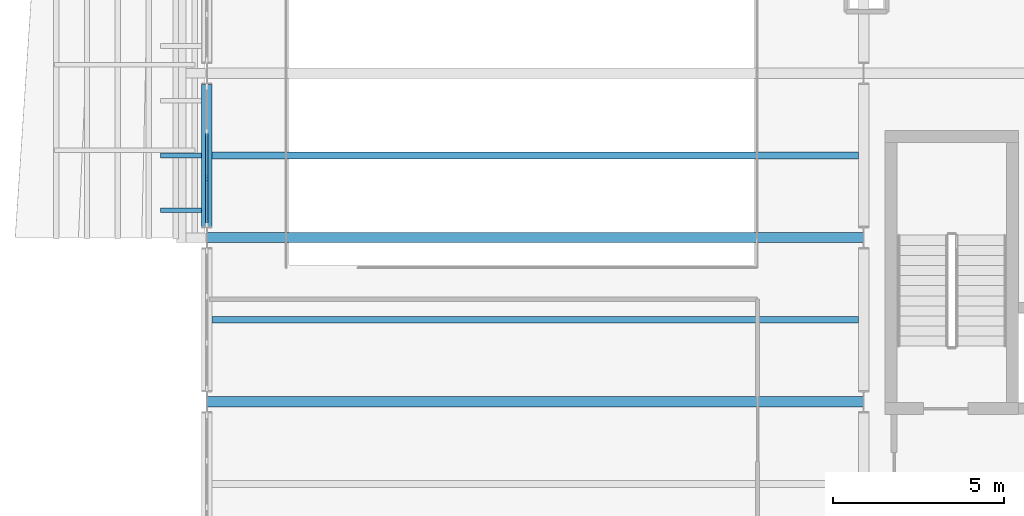
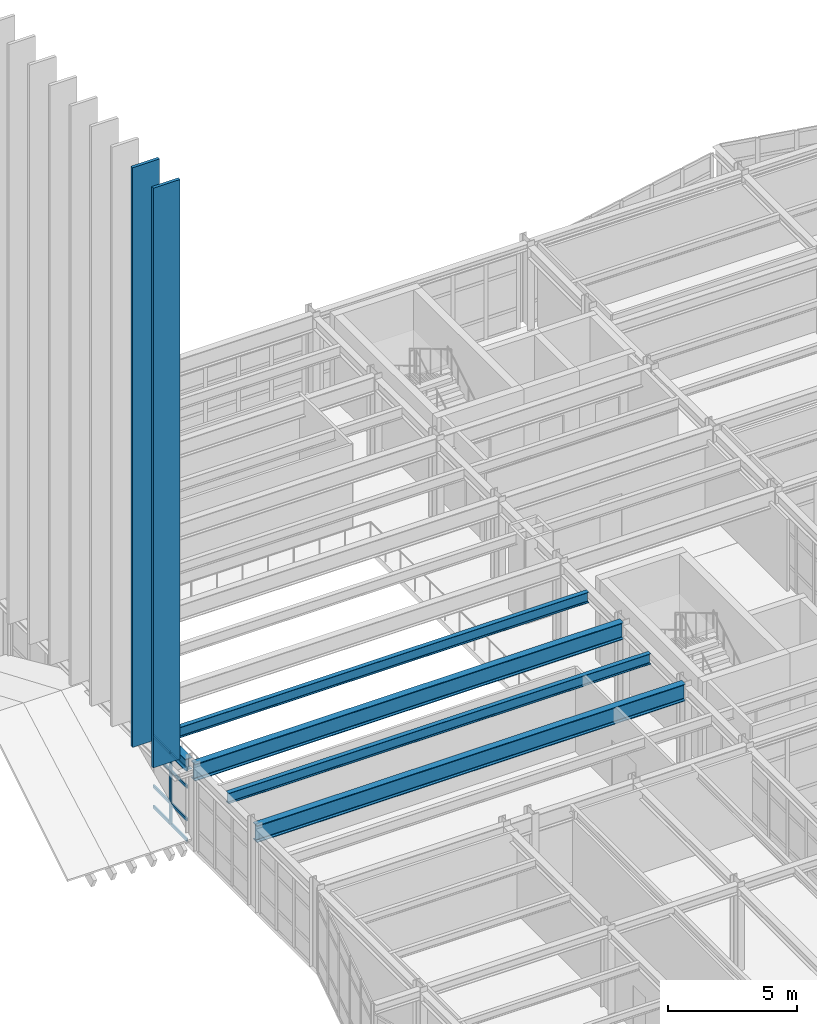
# One storey, part 38 of 99: 11 members, 5 beams, 1 element without a shape of its own.
"""IFC4 building model written with IfcOpenShell, lengths in metres."""

from ifc_helpers import new_model, si_unit, direction, frame, origin, origin_2d, place, context, subcontext, project, spatial, rectangle, i_section, extrude, material, layer, layer_set, material_profile, profile_set, type_object, element, aggregate, save


model = new_model("IFC4")

# Units and contexts
model_context = context("Model", 3, precision=1e-05, world=origin(), true_north=direction((0.0, 1.0)))
body_context = subcontext(model_context, "Body", "Model", "MODEL_VIEW")
ifc_project = project(units=[si_unit("LENGTHUNIT", "METRE"), si_unit("AREAUNIT", "SQUARE_METRE"), si_unit("VOLUMEUNIT", "CUBIC_METRE"), si_unit("PLANEANGLEUNIT", "RADIAN"), si_unit("MASSUNIT", "GRAM", prefix="KILO")], contexts=[model_context])

# Site, building, storey
site_placement = place(None, origin())
site = spatial("IfcSite", under=ifc_project, at=site_placement, CompositionType="ELEMENT")
building_placement = place(site_placement, origin())
building = spatial("IfcBuilding", under=site, at=building_placement, Name="Nordkorset Police Headquarters", CompositionType="ELEMENT")
storey_placement = place(building_placement, frame((0.0, 0.0, 5.25)))
storey = spatial("IfcBuildingStorey", under=building, at=storey_placement, Name="L01", CompositionType="ELEMENT", Elevation=5.25)

# Beams
ifc_material_1 = material(Name="Steel S355J2", Category="steel")
ifc_material_profile_1 = material_profile(ifc_material_1, i_section(OverallWidth=0.199951171875, OverallDepth=0.5, WebThickness=0.01025390625, FlangeThickness=0.01611328125, FilletRadius=0.02099609375, at=origin_2d()), Name="IPE 500")
ifc_profile_set_1 = profile_set([ifc_material_profile_1], Name="Steel S355J2")
beam_type_1 = type_object("IfcBeamType", Name="Beam_IPE_500", PredefinedType="BEAM", material=ifc_profile_set_1)
for number, where, z_axis, x_axis, name in (
    (1, (0.14990234375, 90.39990234375, 3.7099609375), (1.0, 0.0, 0.0), (0.0, 1.0, 0.0), "Composite Floor Beam V1 L01 0-1-1"),
    (2, (0.14990234375, 95.199951171875, 3.7099609375), (1.0, 0.0, 0.0), (0.0, 1.0, 0.0), "Composite Floor Beam V1 L01 0-2-1"),
):
    element("IfcBeam", number, at=place(storey_placement, frame(where, z_axis=z_axis, x_axis=x_axis)), inside=storey, type_object=beam_type_1, Name=name, PredefinedType="BEAM", context=body_context, shape_type="SweptSolid", body=[
        extrude(i_section(OverallWidth=0.199951171875, OverallDepth=0.5, WebThickness=0.01025390625, FlangeThickness=0.01611328125, FilletRadius=0.02099609375, at=origin_2d()), origin(), (0.0, 0.0, 1.0), 18.900146484375),
    ])

# Curtain wall, members
ifc_material_2 = material(Name="Aluminium alloy AW-6060", Category="aluminium")
ifc_layer = layer(ifc_material_2, 0.179931640625, Name="Aluminium alloy AW-6060")
ifc_layer_set = layer_set([ifc_layer], Name="Aluminium alloy AW-6060")
curtain_wall_type = type_object("IfcCurtainWallType", Name="CW_Unit_408x340", PredefinedType="USERDEFINED", material=ifc_layer_set)
curtain_wall_placement = place(storey_placement, origin())
curtain_wall = element("IfcCurtainWall", 3, at=curtain_wall_placement, inside=storey, type_object=curtain_wall_type, Name="Unitised Curtain Wall L01 V1W-2", ObjectType="UNITISED CURTAIN WALL", PredefinedType="USERDEFINED")
ifc_material_3 = material(Name="Aluminium alloy AW-6060", Category="aluminium")
ifc_material_profile_2 = material_profile(ifc_material_3, rectangle(XDim=0.06494140625, YDim=0.179931640625, at=origin_2d()), Name="ALU MULL 65x180")
ifc_profile_set_2 = profile_set([ifc_material_profile_2], Name="Aluminium alloy AW-6060")
member_type_1 = type_object("IfcMemberType", Name="CW_Mullion_65x180", PredefinedType="MULLION", material=ifc_profile_set_2)
member_1_placement = place(storey_placement, frame((0.0, 94.52001953125, 0.0), z_axis=(0.0, 0.0, 1.0), x_axis=(-1.0, 0.0, 0.0)))
member_1 = element("IfcMember", 4, at=member_1_placement, type_object=member_type_1, Name="CW-75 mullion 2", PredefinedType="MULLION", context=body_context, shape_type="SweptSolid", body=[
    extrude(rectangle(XDim=0.06494140625, YDim=0.179931640625, at=origin_2d()), origin(), (0.0, 0.0, 1.0), 3.39990234375),
])
ifc_material_4 = material(Name="Aluminium alloy AW-6060", Category="aluminium")
ifc_material_profile_3 = material_profile(ifc_material_4, rectangle(XDim=0.06494140625, YDim=0.139892578125, at=origin_2d()), Name="ALU TRAN 65x140")
ifc_profile_set_3 = profile_set([ifc_material_profile_3], Name="Aluminium alloy AW-6060")
member_type_2 = type_object("IfcMemberType", Name="CW_Transom_65x140", PredefinedType="USERDEFINED", material=ifc_profile_set_3)
member_2_placement = place(storey_placement, frame((0.0, 93.22509765625, 0.032470703125), z_axis=(0.0, 1.0, 0.0), x_axis=(-1.0, 0.0, 0.0)))
member_2 = element("IfcMember", 5, at=member_2_placement, type_object=member_type_2, Name="CW-75 transom 1.1", ObjectType="TRANSOM", PredefinedType="USERDEFINED", context=body_context, shape_type="SweptSolid", body=[
    extrude(rectangle(XDim=0.06494140625, YDim=0.139892578125, at=origin_2d()), origin(), (0.0, 0.0, 1.0), 1.262451171875),
])
member_3_placement = place(storey_placement, frame((0.0, 93.22509765625, 1.0), z_axis=(0.0, 1.0, 0.0), x_axis=(-1.0, 0.0, 0.0)))
member_3 = element("IfcMember", 6, at=member_3_placement, type_object=member_type_2, Name="CW-75 transom 1.2", ObjectType="TRANSOM", PredefinedType="USERDEFINED", context=body_context, shape_type="SweptSolid", body=[
    extrude(rectangle(XDim=0.06494140625, YDim=0.139892578125, at=origin_2d()), origin(), (0.0, 0.0, 1.0), 1.262451171875),
])
member_4_placement = place(storey_placement, frame((0.0, 93.22509765625, 2.550048828125), z_axis=(0.0, 1.0, 0.0), x_axis=(-1.0, 0.0, 0.0)))
member_4 = element("IfcMember", 7, at=member_4_placement, type_object=member_type_2, Name="CW-75 transom 1.3", ObjectType="TRANSOM", PredefinedType="USERDEFINED", context=body_context, shape_type="SweptSolid", body=[
    extrude(rectangle(XDim=0.06494140625, YDim=0.139892578125, at=origin_2d()), origin(), (0.0, 0.0, 1.0), 1.262451171875),
])
member_5_placement = place(storey_placement, frame((0.0, 93.22509765625, 3.367431640625), z_axis=(0.0, 1.0, 0.0), x_axis=(-1.0, 0.0, 0.0)))
member_5 = element("IfcMember", 8, at=member_5_placement, type_object=member_type_2, Name="CW-75 transom 1.4", ObjectType="TRANSOM", PredefinedType="USERDEFINED", context=body_context, shape_type="SweptSolid", body=[
    extrude(rectangle(XDim=0.06494140625, YDim=0.139892578125, at=origin_2d()), origin(), (0.0, 0.0, 1.0), 1.262451171875),
])
member_6_placement = place(storey_placement, frame((0.0, 94.552490234375, 0.032470703125), z_axis=(0.0, 1.0, 0.0), x_axis=(-1.0, 0.0, 0.0)))
member_6 = element("IfcMember", 9, at=member_6_placement, type_object=member_type_2, Name="CW-75 transom 2.1", ObjectType="TRANSOM", PredefinedType="USERDEFINED", context=body_context, shape_type="SweptSolid", body=[
    extrude(rectangle(XDim=0.06494140625, YDim=0.139892578125, at=origin_2d()), origin(), (0.0, 0.0, 1.0), 1.294921875),
])
member_7_placement = place(storey_placement, frame((0.0, 94.552490234375, 1.0), z_axis=(0.0, 1.0, 0.0), x_axis=(-1.0, 0.0, 0.0)))
member_7 = element("IfcMember", 10, at=member_7_placement, type_object=member_type_2, Name="CW-75 transom 2.2", ObjectType="TRANSOM", PredefinedType="USERDEFINED", context=body_context, shape_type="SweptSolid", body=[
    extrude(rectangle(XDim=0.06494140625, YDim=0.139892578125, at=origin_2d()), origin(), (0.0, 0.0, 1.0), 1.294921875),
])
member_8_placement = place(storey_placement, frame((0.0, 94.552490234375, 2.550048828125), z_axis=(0.0, 1.0, 0.0), x_axis=(-1.0, 0.0, 0.0)))
member_8 = element("IfcMember", 11, at=member_8_placement, type_object=member_type_2, Name="CW-75 transom 2.3", ObjectType="TRANSOM", PredefinedType="USERDEFINED", context=body_context, shape_type="SweptSolid", body=[
    extrude(rectangle(XDim=0.06494140625, YDim=0.139892578125, at=origin_2d()), origin(), (0.0, 0.0, 1.0), 1.294921875),
])
member_9_placement = place(storey_placement, frame((0.0, 94.552490234375, 3.367431640625), z_axis=(0.0, 1.0, 0.0), x_axis=(-1.0, 0.0, 0.0)))
member_9 = element("IfcMember", 12, at=member_9_placement, type_object=member_type_2, Name="CW-75 transom 2.4", ObjectType="TRANSOM", PredefinedType="USERDEFINED", context=body_context, shape_type="SweptSolid", body=[
    extrude(rectangle(XDim=0.06494140625, YDim=0.139892578125, at=origin_2d()), origin(), (0.0, 0.0, 1.0), 1.294921875),
])
aggregate(curtain_wall, [member_1, member_2, member_3, member_4, member_5, member_6, member_7, member_8, member_9])

# Beams
ifc_material_5 = material(Name="Steel S355J2", Category="steel")
ifc_material_profile_4 = material_profile(ifc_material_5, i_section(OverallWidth=0.300048828125, OverallDepth=0.5400390625, WebThickness=0.012451171875, FlangeThickness=0.02392578125, FilletRadius=0.027099609375, at=origin_2d()), Name="HEA 550")
ifc_profile_set_4 = profile_set([ifc_material_profile_4], Name="Steel S355J2")
beam_type_2 = type_object("IfcBeamType", Name="Girder_HEA_550", PredefinedType="USERDEFINED", material=ifc_profile_set_4)
beam_placement = place(storey_placement, frame((0.0, 93.125, 3.68994140625), z_axis=(0.0, 1.0, 0.0), x_axis=(-1.0, 0.0, 0.0)))
element("IfcBeam", 13, at=beam_placement, inside=storey, type_object=beam_type_2, Name="Girder V1 L01 GY-0-2", ObjectType="GIRDER", PredefinedType="USERDEFINED", context=body_context, shape_type="SweptSolid", body=[
    extrude(i_section(OverallWidth=0.300048828125, OverallDepth=0.5400390625, WebThickness=0.012451171875, FlangeThickness=0.02392578125, FilletRadius=0.027099609375, at=origin_2d()), origin(), (0.0, 0.0, 1.0), 4.14990234375),
])
ifc_material_6 = material(Name="Steel S355J2", Category="steel")
ifc_material_profile_5 = material_profile(ifc_material_6, i_section(OverallWidth=0.300048828125, OverallDepth=0.800048828125, WebThickness=0.017578125, FlangeThickness=0.032958984375, FilletRadius=0.030029296875, at=origin_2d()), Name="HEB 800")
ifc_profile_set_5 = profile_set([ifc_material_profile_5], Name="Steel S355J2")
beam_type_3 = type_object("IfcBeamType", Name="Girder_HEB_800", PredefinedType="USERDEFINED", material=ifc_profile_set_5)
for number, where, z_axis, x_axis, name in (
    (14, (0.008056640625, 88.0, 3.56005859375), (1.0, 0.0, 0.0), (0.0, 1.0, 0.0), "Girder V1 L01 GX-1-0"),
    (15, (0.008056640625, 92.800048828125, 3.56005859375), (1.0, 0.0, 0.0), (0.0, 1.0, 0.0), "Girder V1 L01 GX-2-0"),
):
    element("IfcBeam", number, at=place(storey_placement, frame(where, z_axis=z_axis, x_axis=x_axis)), inside=storey, type_object=beam_type_3, Name=name, ObjectType="GIRDER", PredefinedType="USERDEFINED", context=body_context, shape_type="SweptSolid", body=[
        extrude(i_section(OverallWidth=0.300048828125, OverallDepth=0.800048828125, WebThickness=0.017578125, FlangeThickness=0.032958984375, FilletRadius=0.030029296875, at=origin_2d()), origin(), (0.0, 0.0, 1.0), 19.183837890625),
    ])

# Members
ifc_material_7 = material(Name="Glulam GL30c", Category="wood")
ifc_material_profile_6 = material_profile(ifc_material_7, rectangle(XDim=0.139892578125, YDim=1.199951171875, at=origin_2d()), Name="GL30C FIN 140x1200")
ifc_profile_set_6 = profile_set([ifc_material_profile_6], Name="Glulam GL30c")
member_type_3 = type_object("IfcMemberType", Name="Member_GlulamFin_140x1200", PredefinedType="USERDEFINED", material=ifc_profile_set_6)
for number, where, z_axis, x_axis, name in (
    (16, (-0.75, 93.60009765625, 3.735107421875), (0.0, 0.0, 1.0), (0.0, 1.0, 0.0), "Vertical Glulam Timber Fin West 007"),
    (17, (-0.75, 95.199951171875, 3.735107421875), (0.0, 0.0, 1.0), (0.0, 1.0, 0.0), "Vertical Glulam Timber Fin West 008"),
):
    element("IfcMember", number, at=place(storey_placement, frame(where, z_axis=z_axis, x_axis=x_axis)), inside=storey, type_object=member_type_3, Name=name, ObjectType="VERTICAL TIMBER FIN", PredefinedType="USERDEFINED", context=body_context, shape_type="SweptSolid", body=[
        extrude(rectangle(XDim=0.139892578125, YDim=1.199951171875, at=origin_2d()), origin(), (0.0, 0.0, 1.0), 27.4248046875),
    ])

save(model, "model.ifc")
